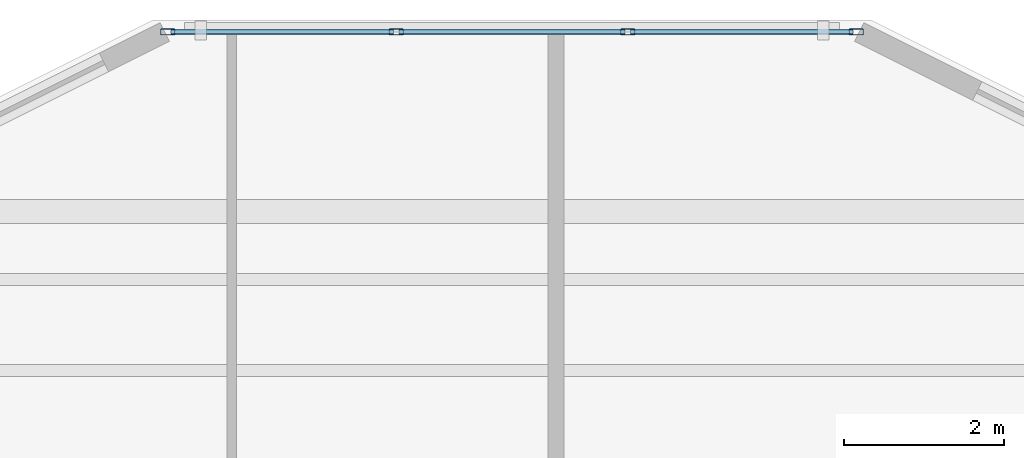
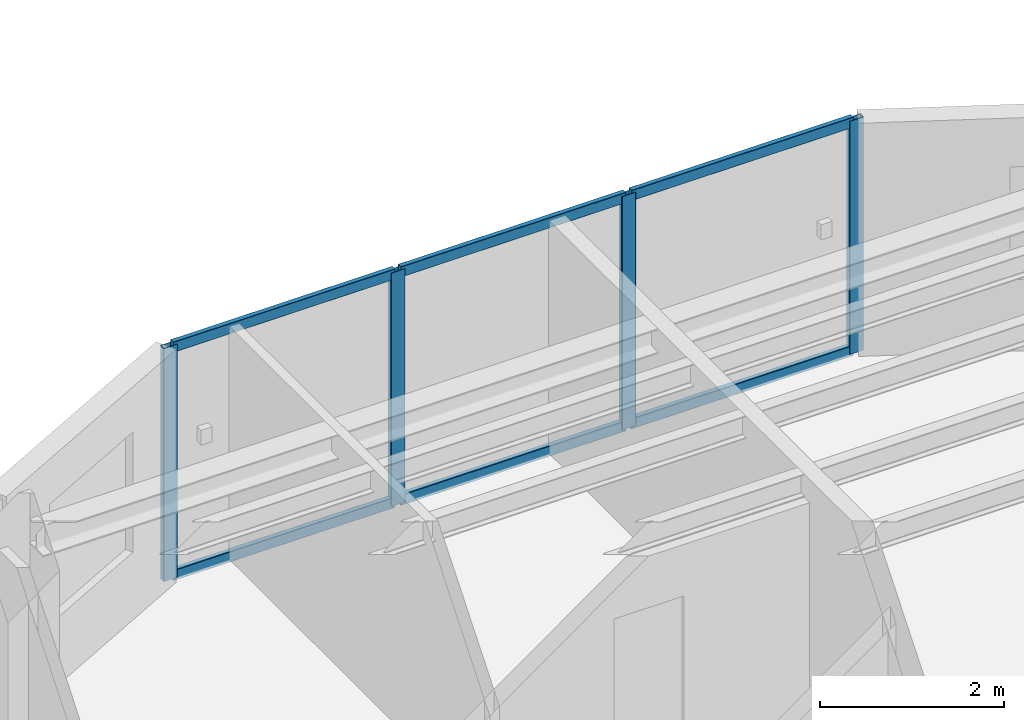
# One storey, part 4 of 13: 10 members, 1 element without a shape of its own.
"""IFC4 building model written with IfcOpenShell, lengths in metres."""

from ifc_helpers import new_model, si_unit, direction, frame, origin, origin_2d, place, context, subcontext, project, spatial, hollow_rectangle, extrude, material, layer, layer_set, material_profile, profile_set, type_object, element, aggregate, save


model = new_model("IFC4")

# Units and contexts
model_context = context("Model", 3, precision=1e-05, world=origin(), true_north=direction((0.0, 1.0)))
body_context = subcontext(model_context, "Body", "Model", "MODEL_VIEW")
ifc_project = project(units=[si_unit("LENGTHUNIT", "METRE"), si_unit("AREAUNIT", "SQUARE_METRE"), si_unit("VOLUMEUNIT", "CUBIC_METRE"), si_unit("PLANEANGLEUNIT", "RADIAN"), si_unit("MASSUNIT", "GRAM", prefix="KILO")], contexts=[model_context])

# Site, building, storey
site_placement = place(None, origin())
site = spatial("IfcSite", under=ifc_project, at=site_placement, CompositionType="ELEMENT")
building_placement = place(site_placement, origin())
building = spatial("IfcBuilding", under=site, at=building_placement, Name="Tarnavaz Court Tower", CompositionType="ELEMENT")
storey_placement = place(building_placement, frame((0.0, 0.0, 248.199951171875)))
storey = spatial("IfcBuildingStorey", under=building, at=storey_placement, Name="L67", CompositionType="ELEMENT", Elevation=248.199951171875)

# Curtain wall, members
ifc_material_1 = material(Name="Anodised Aluminium 6063-T6 and Solar Low-E Glazing", Category="aluminium")
ifc_layer = layer(ifc_material_1, 0.159912109375)
ifc_layer_set = layer_set([ifc_layer], Name="Anodised Aluminium 6063-T6 and Solar Low-E Glazing")
curtain_wall_type = type_object("IfcCurtainWallType", Name="CW-SYS-03", PredefinedType="NOTDEFINED", material=ifc_layer_set)
curtain_wall_placement = place(storey_placement, origin())
curtain_wall = element("IfcCurtainWall", 1, at=curtain_wall_placement, inside=storey, type_object=curtain_wall_type, Name="L67 Iwan Prow Curtain Wall 7", PredefinedType="NOTDEFINED")
ifc_material_2 = material(Name="Anodised Aluminium 6063-T6", Category="aluminium")
ifc_material_profile_1 = material_profile(ifc_material_2, hollow_rectangle(XDim=0.074951171875, YDim=0.179931640625, WallThickness=0.0048828125, InnerFilletRadius=0.0048828125, OuterFilletRadius=0.010009765625, at=origin_2d()), Name="ALU RHS 180X75X5")
ifc_profile_set_1 = profile_set([ifc_material_profile_1], Name="Anodised Aluminium 6063-T6")
member_type_1 = type_object("IfcMemberType", Name="CW-MUL-180", PredefinedType="MULLION", material=ifc_profile_set_1)
member_1_placement = place(storey_placement, frame((-4.3125, 22.35009765625, 0.0), z_axis=(0.0, 0.0, 1.0), x_axis=(0.0, 1.0, 0.0)))
member_1 = element("IfcMember", 2, at=member_1_placement, type_object=member_type_1, Name="CW mullion 1", PredefinedType="MULLION", context=body_context, shape_type="SweptSolid", body=[
    extrude(hollow_rectangle(XDim=0.074951171875, YDim=0.179931640625, WallThickness=0.0048828125, InnerFilletRadius=0.0048828125, OuterFilletRadius=0.010009765625, at=origin_2d()), origin(), (0.0, 0.0, 1.0), 3.10009765625),
])
member_2_placement = place(storey_placement, frame((-1.449951171875, 22.35009765625, 0.0), z_axis=(0.0, 0.0, 1.0), x_axis=(0.0, 1.0, 0.0)))
member_2 = element("IfcMember", 3, at=member_2_placement, type_object=member_type_1, Name="CW mullion 2", PredefinedType="MULLION", context=body_context, shape_type="SweptSolid", body=[
    extrude(hollow_rectangle(XDim=0.074951171875, YDim=0.179931640625, WallThickness=0.0048828125, InnerFilletRadius=0.0048828125, OuterFilletRadius=0.010009765625, at=origin_2d()), origin(), (0.0, 0.0, 1.0), 3.10009765625),
])
member_3_placement = place(storey_placement, frame((1.449951171875, 22.35009765625, 0.0), z_axis=(0.0, 0.0, 1.0), x_axis=(0.0, 1.0, 0.0)))
member_3 = element("IfcMember", 4, at=member_3_placement, type_object=member_type_1, Name="CW mullion 3", PredefinedType="MULLION", context=body_context, shape_type="SweptSolid", body=[
    extrude(hollow_rectangle(XDim=0.074951171875, YDim=0.179931640625, WallThickness=0.0048828125, InnerFilletRadius=0.0048828125, OuterFilletRadius=0.010009765625, at=origin_2d()), origin(), (0.0, 0.0, 1.0), 3.10009765625),
])
member_4_placement = place(storey_placement, frame((4.3125, 22.35009765625, 0.0), z_axis=(0.0, 0.0, 1.0), x_axis=(0.0, 1.0, 0.0)))
member_4 = element("IfcMember", 5, at=member_4_placement, type_object=member_type_1, Name="CW mullion 4", PredefinedType="MULLION", context=body_context, shape_type="SweptSolid", body=[
    extrude(hollow_rectangle(XDim=0.074951171875, YDim=0.179931640625, WallThickness=0.0048828125, InnerFilletRadius=0.0048828125, OuterFilletRadius=0.010009765625, at=origin_2d()), origin(), (0.0, 0.0, 1.0), 3.10009765625),
])
ifc_material_profile_2 = material_profile(ifc_material_2, hollow_rectangle(XDim=0.06494140625, YDim=0.139892578125, WallThickness=0.00390625, InnerFilletRadius=0.00390625, OuterFilletRadius=0.008056640625, at=origin_2d()), Name="ALU RHS 140X65X4")
ifc_profile_set_2 = profile_set([ifc_material_profile_2], Name="Anodised Aluminium 6063-T6")
member_type_2 = type_object("IfcMemberType", Name="CW-TRN-140", PredefinedType="USERDEFINED", material=ifc_profile_set_2)
member_5_placement = place(storey_placement, frame((-4.27490234375, 22.35009765625, 0.032470703125), z_axis=(1.0, 0.0, 0.0), x_axis=(0.0, 1.0, 0.0)))
member_5 = element("IfcMember", 6, at=member_5_placement, type_object=member_type_2, Name="CW transom 1.1", ObjectType="TRANSOM", PredefinedType="USERDEFINED", context=body_context, shape_type="SweptSolid", body=[
    extrude(hollow_rectangle(XDim=0.06494140625, YDim=0.139892578125, WallThickness=0.00390625, InnerFilletRadius=0.00390625, OuterFilletRadius=0.008056640625, at=origin_2d()), origin(), (0.0, 0.0, 1.0), 2.787353515625),
])
member_6_placement = place(storey_placement, frame((-4.27490234375, 22.35009765625, 3.067626953125), z_axis=(1.0, 0.0, 0.0), x_axis=(0.0, 1.0, 0.0)))
member_6 = element("IfcMember", 7, at=member_6_placement, type_object=member_type_2, Name="CW transom 1.2", ObjectType="TRANSOM", PredefinedType="USERDEFINED", context=body_context, shape_type="SweptSolid", body=[
    extrude(hollow_rectangle(XDim=0.06494140625, YDim=0.139892578125, WallThickness=0.00390625, InnerFilletRadius=0.00390625, OuterFilletRadius=0.008056640625, at=origin_2d()), origin(), (0.0, 0.0, 1.0), 2.787353515625),
])
member_7_placement = place(storey_placement, frame((-1.41259765625, 22.35009765625, 0.032470703125), z_axis=(1.0, 0.0, 0.0), x_axis=(0.0, 1.0, 0.0)))
member_7 = element("IfcMember", 8, at=member_7_placement, type_object=member_type_2, Name="CW transom 2.1", ObjectType="TRANSOM", PredefinedType="USERDEFINED", context=body_context, shape_type="SweptSolid", body=[
    extrude(hollow_rectangle(XDim=0.06494140625, YDim=0.139892578125, WallThickness=0.00390625, InnerFilletRadius=0.00390625, OuterFilletRadius=0.008056640625, at=origin_2d()), origin(), (0.0, 0.0, 1.0), 2.8251953125),
])
member_8_placement = place(storey_placement, frame((-1.41259765625, 22.35009765625, 3.067626953125), z_axis=(1.0, 0.0, 0.0), x_axis=(0.0, 1.0, 0.0)))
member_8 = element("IfcMember", 9, at=member_8_placement, type_object=member_type_2, Name="CW transom 2.2", ObjectType="TRANSOM", PredefinedType="USERDEFINED", context=body_context, shape_type="SweptSolid", body=[
    extrude(hollow_rectangle(XDim=0.06494140625, YDim=0.139892578125, WallThickness=0.00390625, InnerFilletRadius=0.00390625, OuterFilletRadius=0.008056640625, at=origin_2d()), origin(), (0.0, 0.0, 1.0), 2.8251953125),
])
member_9_placement = place(storey_placement, frame((1.487548828125, 22.35009765625, 0.032470703125), z_axis=(1.0, 0.0, 0.0), x_axis=(0.0, 1.0, 0.0)))
member_9 = element("IfcMember", 10, at=member_9_placement, type_object=member_type_2, Name="CW transom 3.1", ObjectType="TRANSOM", PredefinedType="USERDEFINED", context=body_context, shape_type="SweptSolid", body=[
    extrude(hollow_rectangle(XDim=0.06494140625, YDim=0.139892578125, WallThickness=0.00390625, InnerFilletRadius=0.00390625, OuterFilletRadius=0.008056640625, at=origin_2d()), origin(), (0.0, 0.0, 1.0), 2.787353515625),
])
member_10_placement = place(storey_placement, frame((1.487548828125, 22.35009765625, 3.067626953125), z_axis=(1.0, 0.0, 0.0), x_axis=(0.0, 1.0, 0.0)))
member_10 = element("IfcMember", 11, at=member_10_placement, type_object=member_type_2, Name="CW transom 3.2", ObjectType="TRANSOM", PredefinedType="USERDEFINED", context=body_context, shape_type="SweptSolid", body=[
    extrude(hollow_rectangle(XDim=0.06494140625, YDim=0.139892578125, WallThickness=0.00390625, InnerFilletRadius=0.00390625, OuterFilletRadius=0.008056640625, at=origin_2d()), origin(), (0.0, 0.0, 1.0), 2.787353515625),
])
aggregate(curtain_wall, [member_1, member_2, member_3, member_4, member_5, member_6, member_7, member_8, member_9, member_10])

save(model, "model.ifc")
